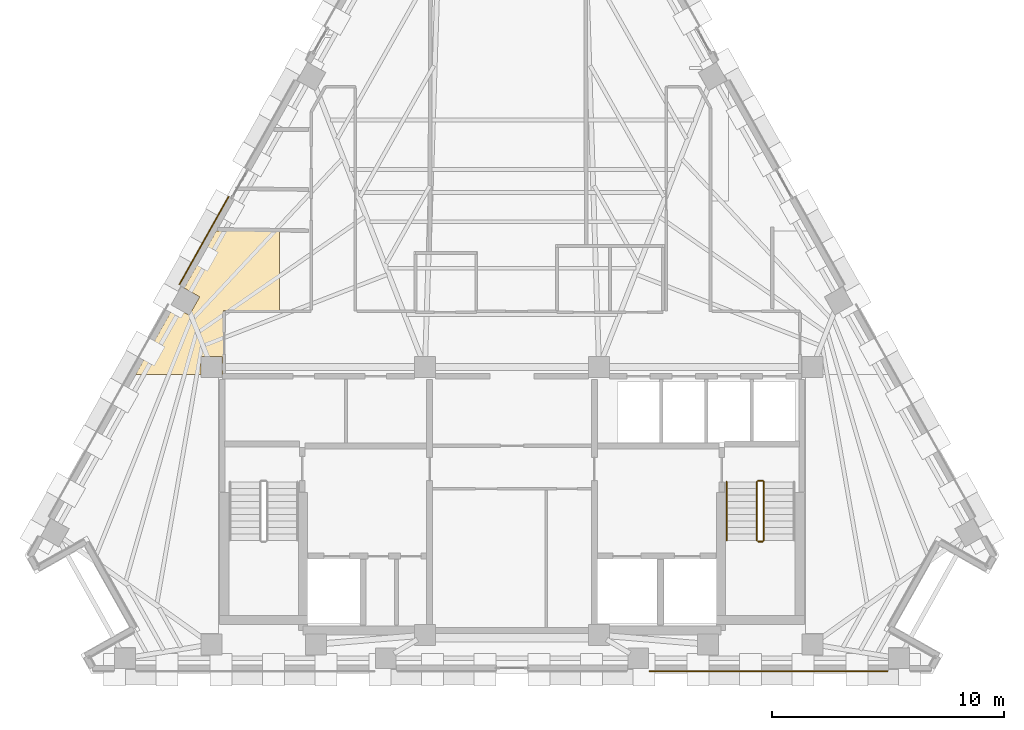
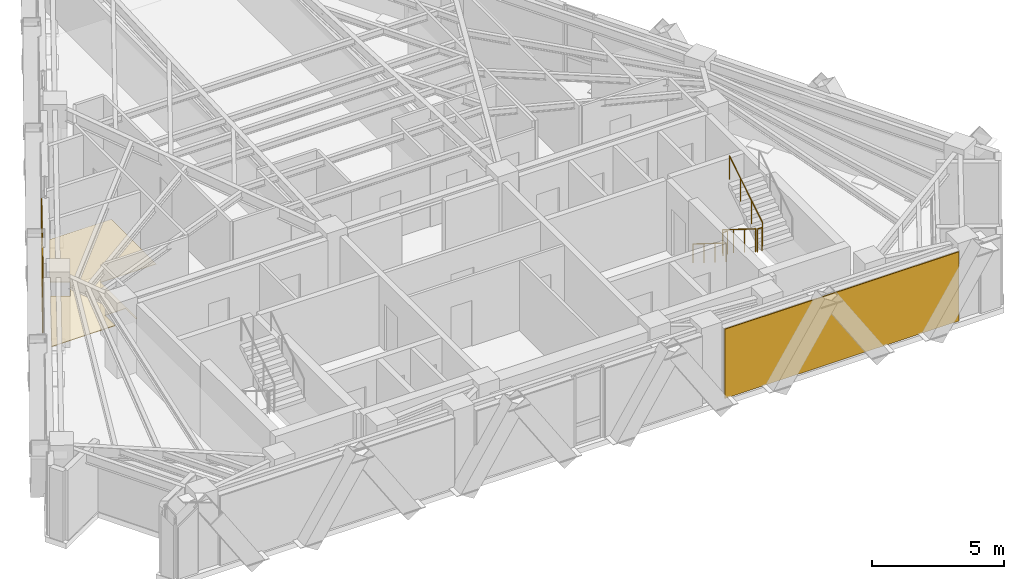
# One storey, part 11 of 12: 5 railings, 3 coverings.
"""IFC4 building model written with IfcOpenShell, lengths in metres."""

from ifc_helpers import new_model, si_unit, direction, frame, origin, origin_2d, place, context, subcontext, project, spatial, polyline, circle, outline, extrude, material, layer, layer_set, type_object, element, save


model = new_model("IFC4")

# Units and contexts
model_context = context("Model", 3, precision=1e-05, world=origin(), true_north=direction((0.0, 1.0)))
body_context = subcontext(model_context, "Body", "Model", "MODEL_VIEW")
ifc_project = project(units=[si_unit("LENGTHUNIT", "METRE"), si_unit("AREAUNIT", "SQUARE_METRE"), si_unit("VOLUMEUNIT", "CUBIC_METRE"), si_unit("PLANEANGLEUNIT", "RADIAN"), si_unit("MASSUNIT", "GRAM", prefix="KILO")], contexts=[model_context])

# Site, building, storey
site_placement = place(None, origin())
site = spatial("IfcSite", under=ifc_project, at=site_placement, CompositionType="ELEMENT")
building_placement = place(site_placement, origin())
building = spatial("IfcBuilding", under=site, at=building_placement, Name="Quenlor Broadcast Tower", CompositionType="ELEMENT")
storey_placement = place(building_placement, frame((0.0, 0.0, 197.39990234375)))
storey = spatial("IfcBuildingStorey", under=building, at=storey_placement, Name="L54", CompositionType="ELEMENT", Elevation=197.39990234375)

# Coverings
ifc_material_1 = material(Name="Acoustic Mineral Fibre Board", Category="other")
ifc_layer_1 = layer(ifc_material_1, 0.02490234375)
ifc_layer_set_1 = layer_set([ifc_layer_1], Name="Acoustic Perforated Mineral Tile Ceiling 25")
covering_type_1 = type_object("IfcCoveringType", Name="Acoustic Perforated Mineral Tile Ceiling 25", PredefinedType="CEILING", material=ifc_layer_set_1)
covering_1_placement = place(storey_placement, frame((0.0, 0.0, 2.375)))
element("IfcCovering", 1, at=covering_1_placement, inside=storey, type_object=covering_type_1, Name="L54 Acoustic Ceiling L54-30", PredefinedType="CEILING", context=body_context, shape_type="SweptSolid", body=[
    extrude(outline(polyline([(-12.491943359375, -4.342041015625), (-13.407958984375, -4.342041015625), (-13.407958984375, -5.1201171875), (-16.21484375, -5.1201171875), (-14.572021484375, -2.199462890625), (-13.90283203125, -2.575927734375), (-13.45361328125, -1.777587890625), (-14.123046875, -1.401123046875), (-12.744873046875, 1.049072265625), (-10.013671875, 1.049072265625), (-10.013671875, -2.3701171875), (-12.43994140625, -2.3701171875), (-12.43994140625, -5.1201171875), (-12.491943359375, -5.1201171875), (-12.491943359375, -4.342041015625)])), origin(), (0.0, 0.0, 1.0), 0.025146484375),
])
ifc_material_2 = material(Name="Architectural Terracotta Ceramic", Category="masonry")
ifc_layer_2 = layer(ifc_material_2, 0.044921875)
ifc_layer_set_2 = layer_set([ifc_layer_2], Name="Fluted Terracotta Rainscreen Cladding Panel")
covering_type_2 = type_object("IfcCoveringType", Name="Fluted Terracotta Rainscreen Cladding Panel", PredefinedType="CLADDING", material=ifc_layer_set_2)
covering_2_placement = place(storey_placement, frame((0.0, 0.0, 0.02001953125)))
element("IfcCovering", 2, at=covering_2_placement, inside=storey, type_object=covering_type_2, Name="L54 Terracotta Rainscreen Cladding L54-EW-SA", PredefinedType="CLADDING", context=body_context, shape_type="SweptSolid", body=[
    extrude(outline(polyline([(16.19091796875, -17.89697265625), (5.9228515625, -17.89697265625), (5.9228515625, -17.94189453125), (16.19091796875, -17.94189453125), (16.19091796875, -17.89697265625)])), origin(), (0.0, 0.0, 1.0), 3.2099609375),
])
covering_3_placement = place(storey_placement, frame((0.0, 0.0, 0.02001953125)))
element("IfcCovering", 3, at=covering_3_placement, inside=storey, type_object=covering_type_2, Name="L54 Terracotta Rainscreen Cladding L54-NW-SP1", PredefinedType="CLADDING", context=body_context, shape_type="SweptSolid", body=[
    extrude(outline(polyline([(-14.30908203125, -1.248291015625), (-12.187255859375, 2.523681640625), (-12.2265625, 2.5458984375), (-14.34814453125, -1.226318359375), (-14.30908203125, -1.248291015625)])), origin(), (0.0, 0.0, 1.0), 3.2099609375),
])

# Railings
ifc_material_3 = material(Name="Anodised Aluminium", Category="aluminium")
railing_type_1 = type_object("IfcRailingType", Name="Stainless Aluminium Wall Handrail 900", PredefinedType="HANDRAIL", material=ifc_material_3)
railing_1_placement = place(storey_placement, frame((9.25, -9.75, 0.175048828125)))
element("IfcRailing", 4, at=railing_1_placement, inside=storey, type_object=railing_type_1, Name="L54 ST-2 stair handrail 1", PredefinedType="HANDRAIL", context=body_context, shape_type="SweptSolid", body=[
    extrude(circle(Radius=0.02392578125, at=origin_2d()), frame((0.0, 0.0, 0.8759765625), z_axis=(0.0, -0.848007534815, 0.529984170421), x_axis=(1.0, 0.0, 0.0)), (0.0, 0.0, 1.0), 2.9716796875),
    extrude(circle(Radius=0.02099609375, at=origin_2d()), origin(), (0.0, 0.0, 1.0), 0.851806640625),
    extrude(circle(Radius=0.02099609375, at=origin_2d()), frame((0.0, -0.840087890625, 0.52490234375)), (0.0, 0.0, 1.0), 0.851806640625),
    extrude(circle(Radius=0.02099609375, at=origin_2d()), frame((0.0, -1.679931640625, 1.050048828125)), (0.0, 0.0, 1.0), 0.851806640625),
    extrude(circle(Radius=0.02099609375, at=origin_2d()), frame((0.0, -2.52001953125, 1.574951171875)), (0.0, 0.0, 1.0), 0.851806640625),
])
ifc_material_4 = material(Name="Steel S355", Category="steel")
railing_type_2 = type_object("IfcRailingType", Name="Tubular Steel S355 Stair Guardrail 1100", PredefinedType="BALUSTRADE", material=ifc_material_4)
railing_2_placement = place(storey_placement, frame((10.550048828125, -9.75, 0.175048828125)))
element("IfcRailing", 5, at=railing_2_placement, inside=storey, type_object=railing_type_2, Name="L54 ST-2 stair guard 1", PredefinedType="BALUSTRADE", context=body_context, shape_type="SweptSolid", body=[
    extrude(circle(Radius=0.02392578125, at=origin_2d()), frame((0.0, 0.0, 1.076171875), z_axis=(0.0, -0.848007534815, 0.529984170421), x_axis=(1.0, 0.0, 0.0)), (0.0, 0.0, 1.0), 2.9716796875),
    extrude(circle(Radius=0.02099609375, at=origin_2d()), origin(), (0.0, 0.0, 1.0), 1.052001953125),
    extrude(circle(Radius=0.02099609375, at=origin_2d()), frame((0.0, -0.840087890625, 0.52490234375)), (0.0, 0.0, 1.0), 1.052001953125),
    extrude(circle(Radius=0.02099609375, at=origin_2d()), frame((0.0, -1.679931640625, 1.050048828125)), (0.0, 0.0, 1.0), 1.052001953125),
    extrude(circle(Radius=0.02099609375, at=origin_2d()), frame((0.0, -2.52001953125, 1.574951171875)), (0.0, 0.0, 1.0), 1.052001953125),
])
railing_3_placement = place(storey_placement, frame((10.60009765625, -12.320068359375, 1.75)))
element("IfcRailing", 6, at=railing_3_placement, inside=storey, type_object=railing_type_2, Name="L54 ST-2 stair guard 2", PredefinedType="BALUSTRADE", context=body_context, shape_type="SweptSolid", body=[
    extrude(circle(Radius=0.02392578125, at=origin_2d()), frame((0.0, 0.0, 1.076171875), z_axis=(1.0, 0.0, 0.0), x_axis=(0.0, 1.0, 0.0)), (0.0, 0.0, 1.0), 0.199951171875),
    extrude(circle(Radius=0.02099609375, at=origin_2d()), origin(), (0.0, 0.0, 1.0), 1.052001953125),
    extrude(circle(Radius=0.02099609375, at=origin_2d()), frame((0.199951171875, 0.0, 0.0)), (0.0, 0.0, 1.0), 1.052001953125),
])
railing_4_placement = place(storey_placement, frame((10.85009765625, -12.27001953125, 1.925048828125)))
element("IfcRailing", 7, at=railing_4_placement, inside=storey, type_object=railing_type_2, Name="L54 ST-2 stair guard 3", PredefinedType="BALUSTRADE", context=body_context, shape_type="SweptSolid", body=[
    extrude(circle(Radius=0.02392578125, at=origin_2d()), frame((0.0, 0.0, 1.076171875), z_axis=(0.0, 0.848007534815, 0.529984170421), x_axis=(-1.0, 0.0, 0.0)), (0.0, 0.0, 1.0), 2.9716796875),
    extrude(circle(Radius=0.02099609375, at=origin_2d()), origin(), (0.0, 0.0, 1.0), 1.052001953125),
    extrude(circle(Radius=0.02099609375, at=origin_2d()), frame((0.0, 0.840087890625, 0.52490234375)), (0.0, 0.0, 1.0), 1.052001953125),
    extrude(circle(Radius=0.02099609375, at=origin_2d()), frame((0.0, 1.679931640625, 1.050048828125)), (0.0, 0.0, 1.0), 1.052001953125),
    extrude(circle(Radius=0.02099609375, at=origin_2d()), frame((0.0, 2.52001953125, 1.574951171875)), (0.0, 0.0, 1.0), 1.052001953125),
])
railing_5_placement = place(storey_placement, frame((10.60009765625, -9.699951171875, 0.0)))
element("IfcRailing", 8, at=railing_5_placement, inside=storey, type_object=railing_type_2, Name="L54 ST-2 stair guard 4", PredefinedType="BALUSTRADE", context=body_context, shape_type="SweptSolid", body=[
    extrude(circle(Radius=0.02392578125, at=origin_2d()), frame((0.0, 0.0, 1.076171875), z_axis=(1.0, 0.0, 0.0), x_axis=(0.0, 1.0, 0.0)), (0.0, 0.0, 1.0), 0.199951171875),
    extrude(circle(Radius=0.02099609375, at=origin_2d()), origin(), (0.0, 0.0, 1.0), 1.052001953125),
    extrude(circle(Radius=0.02099609375, at=origin_2d()), frame((0.199951171875, 0.0, 0.0)), (0.0, 0.0, 1.0), 1.052001953125),
])

save(model, "model.ifc")
